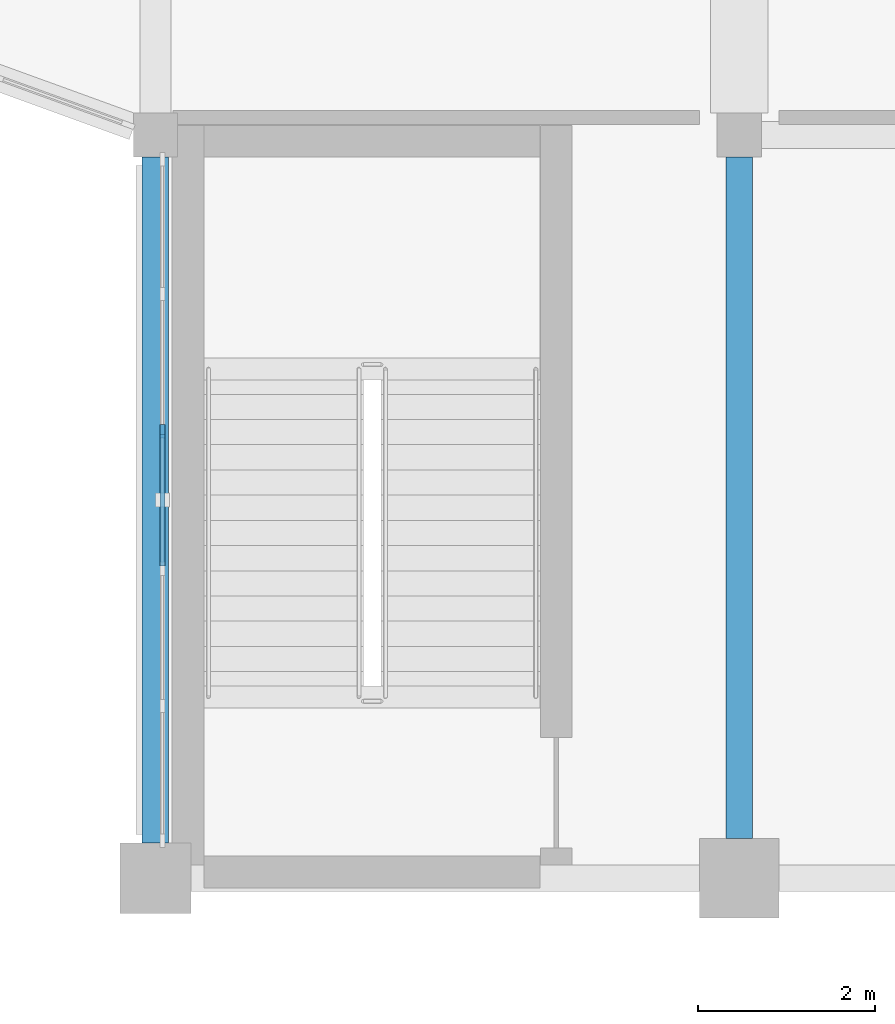
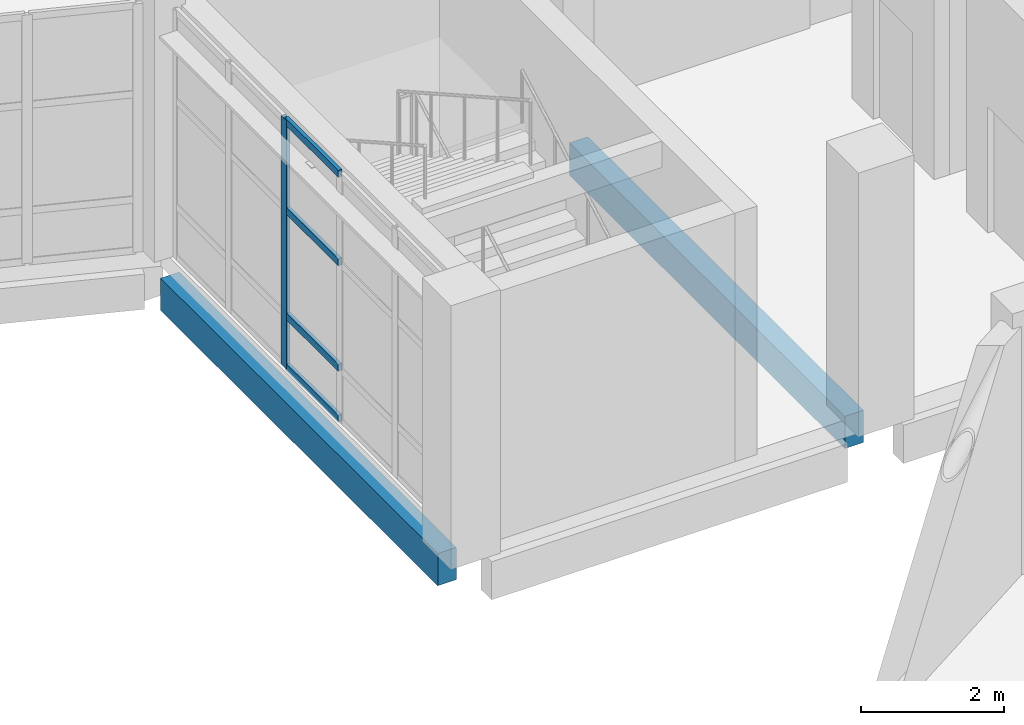
# One storey, part 20 of 76: 5 members, 2 beams, 1 element without a shape of its own.
"""IFC4 building model written with IfcOpenShell, lengths in metres."""

from ifc_helpers import new_model, si_unit, direction, frame, origin, origin_2d, place, context, subcontext, project, spatial, rectangle, extrude, material, material_profile, profile_set, type_object, element, aggregate, save


model = new_model("IFC4")

# Units and contexts
model_context = context("Model", 3, precision=1e-05, world=origin(), true_north=direction((0.0, 1.0)))
body_context = subcontext(model_context, "Body", "Model", "MODEL_VIEW")
ifc_project = project(units=[si_unit("LENGTHUNIT", "METRE"), si_unit("AREAUNIT", "SQUARE_METRE"), si_unit("VOLUMEUNIT", "CUBIC_METRE"), si_unit("PLANEANGLEUNIT", "RADIAN"), si_unit("MASSUNIT", "GRAM", prefix="KILO")], contexts=[model_context])

# Site, building, storey
site_placement = place(None, origin())
site = spatial("IfcSite", under=ifc_project, at=site_placement, CompositionType="ELEMENT")
building_placement = place(site_placement, origin())
building = spatial("IfcBuilding", under=site, at=building_placement, Name="Qaldarim Faculty of Natural and Applied Sciences", CompositionType="ELEMENT")
storey_placement = place(building_placement, frame((0.0, 0.0, 9.89990234375)))
storey = spatial("IfcBuildingStorey", under=building, at=storey_placement, Name="L02", CompositionType="ELEMENT", Elevation=9.89990234375)

# Beams
ifc_material_1 = material(Name="Concrete C40/50", Category="concrete")
ifc_material_profile_1 = material_profile(ifc_material_1, rectangle(XDim=0.300048828125, YDim=0.550048828125, at=origin_2d()), Name="RC-B300x550")
ifc_profile_set_1 = profile_set([ifc_material_profile_1], Name="Concrete C40/50")
beam_type = type_object("IfcBeamType", Name="FloorBeam-RC300x550", PredefinedType="BEAM", material=ifc_profile_set_1)
beam_1_placement = place(storey_placement, frame((151.800048828125, 59.199951171875, -0.574951171875), z_axis=(0.0, 1.0, 0.0), x_axis=(-1.0, 0.0, 0.0)))
element("IfcBeam", 1, at=beam_1_placement, inside=storey, type_object=beam_type, Name="Beam RC-B300x550 L01 X24/Y08-Y09", PredefinedType="BEAM", context=body_context, shape_type="SweptSolid", body=[
    extrude(rectangle(XDim=0.300048828125, YDim=0.550048828125, at=origin_2d()), origin(), (0.0, 0.0, 1.0), 7.75),
])
beam_2_placement = place(storey_placement, frame((158.39990234375, 59.25, -0.574951171875), z_axis=(0.0, 1.0, 0.0), x_axis=(-1.0, 0.0, 0.0)))
element("IfcBeam", 2, at=beam_2_placement, inside=storey, type_object=beam_type, Name="Beam RC-B300x550 L01 X25/Y08-Y09", PredefinedType="BEAM", context=body_context, shape_type="SweptSolid", body=[
    extrude(rectangle(XDim=0.300048828125, YDim=0.550048828125, at=origin_2d()), origin(), (0.0, 0.0, 1.0), 7.699951171875),
])

# Curtain wall, members
ifc_material_2 = material(Name="Anodised aluminium AW-6063", Category="aluminium")
curtain_wall_type = type_object("IfcCurtainWallType", Name="CurtainWallSystem-M1600", PredefinedType="USERDEFINED", material=ifc_material_2)
curtain_wall_placement = place(storey_placement, origin())
curtain_wall = element("IfcCurtainWall", 3, at=curtain_wall_placement, inside=storey, type_object=curtain_wall_type, Name="Curtain wall CW-L02-W-X24Y08", ObjectType="UNITISED FACADE", PredefinedType="USERDEFINED")
ifc_material_profile_2 = material_profile(ifc_material_2, rectangle(XDim=0.06005859375, YDim=0.14990234375, at=origin_2d()), Name="ALU-M60x150")
ifc_profile_set_2 = profile_set([ifc_material_profile_2], Name="Anodised aluminium AW-6063")
member_type_1 = type_object("IfcMemberType", Name="Mullion-ALU60x150", PredefinedType="MULLION", material=ifc_profile_set_2)
member_1_placement = place(storey_placement, frame((151.8798828125, 63.85107421875, 0.0), z_axis=(0.0, 0.0, 1.0), x_axis=(1.0, 0.0, 0.0)))
member_1 = element("IfcMember", 4, at=member_1_placement, type_object=member_type_1, Name="Mullion 3 of CW-L02-W-X24Y08", PredefinedType="MULLION", context=body_context, shape_type="SweptSolid", body=[
    extrude(rectangle(XDim=0.06005859375, YDim=0.14990234375, at=origin_2d()), origin(), (0.0, 0.0, 1.0), 4.239990234375),
])
ifc_material_profile_3 = material_profile(ifc_material_2, rectangle(XDim=0.06005859375, YDim=0.1201171875, at=origin_2d()), Name="ALU-T60x120")
ifc_profile_set_3 = profile_set([ifc_material_profile_3], Name="Anodised aluminium AW-6063")
member_type_2 = type_object("IfcMemberType", Name="Transom-ALU60x120", PredefinedType="USERDEFINED", material=ifc_profile_set_3)
member_2_placement = place(storey_placement, frame((151.8798828125, 63.821044921875, 0.030029296875), z_axis=(0.0, -1.0, 0.0), x_axis=(1.0, 0.0, 0.0)))
member_2 = element("IfcMember", 5, at=member_2_placement, type_object=member_type_2, Name="Transom 3-1 of CW-L02-W-X24Y08", ObjectType="TRANSOM", PredefinedType="USERDEFINED", context=body_context, shape_type="SweptSolid", body=[
    extrude(rectangle(XDim=0.06005859375, YDim=0.1201171875, at=origin_2d()), origin(), (0.0, 0.0, 1.0), 1.491943359375),
])
member_3_placement = place(storey_placement, frame((151.8798828125, 63.821044921875, 0.900146484375), z_axis=(0.0, -1.0, 0.0), x_axis=(1.0, 0.0, 0.0)))
member_3 = element("IfcMember", 6, at=member_3_placement, type_object=member_type_2, Name="Transom 3-2 of CW-L02-W-X24Y08", ObjectType="TRANSOM", PredefinedType="USERDEFINED", context=body_context, shape_type="SweptSolid", body=[
    extrude(rectangle(XDim=0.06005859375, YDim=0.1201171875, at=origin_2d()), origin(), (0.0, 0.0, 1.0), 1.491943359375),
])
member_4_placement = place(storey_placement, frame((151.8798828125, 63.821044921875, 2.7001953125), z_axis=(0.0, -1.0, 0.0), x_axis=(1.0, 0.0, 0.0)))
member_4 = element("IfcMember", 7, at=member_4_placement, type_object=member_type_2, Name="Transom 3-3 of CW-L02-W-X24Y08", ObjectType="TRANSOM", PredefinedType="USERDEFINED", context=body_context, shape_type="SweptSolid", body=[
    extrude(rectangle(XDim=0.06005859375, YDim=0.1201171875, at=origin_2d()), origin(), (0.0, 0.0, 1.0), 1.491943359375),
])
member_5_placement = place(storey_placement, frame((151.8798828125, 63.821044921875, 4.210205078125), z_axis=(0.0, -1.0, 0.0), x_axis=(1.0, 0.0, 0.0)))
member_5 = element("IfcMember", 8, at=member_5_placement, type_object=member_type_2, Name="Transom 3-4 of CW-L02-W-X24Y08", ObjectType="TRANSOM", PredefinedType="USERDEFINED", context=body_context, shape_type="SweptSolid", body=[
    extrude(rectangle(XDim=0.06005859375, YDim=0.1201171875, at=origin_2d()), origin(), (0.0, 0.0, 1.0), 1.491943359375),
])
aggregate(curtain_wall, [member_1, member_2, member_3, member_4, member_5])

save(model, "model.ifc")
